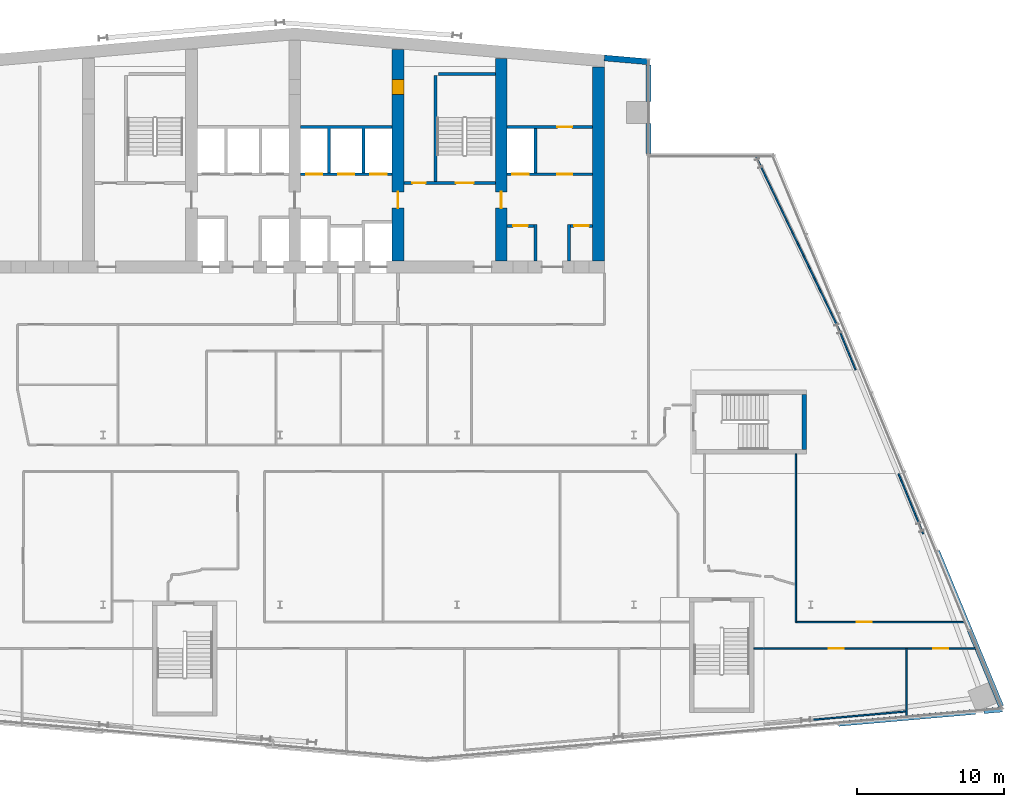
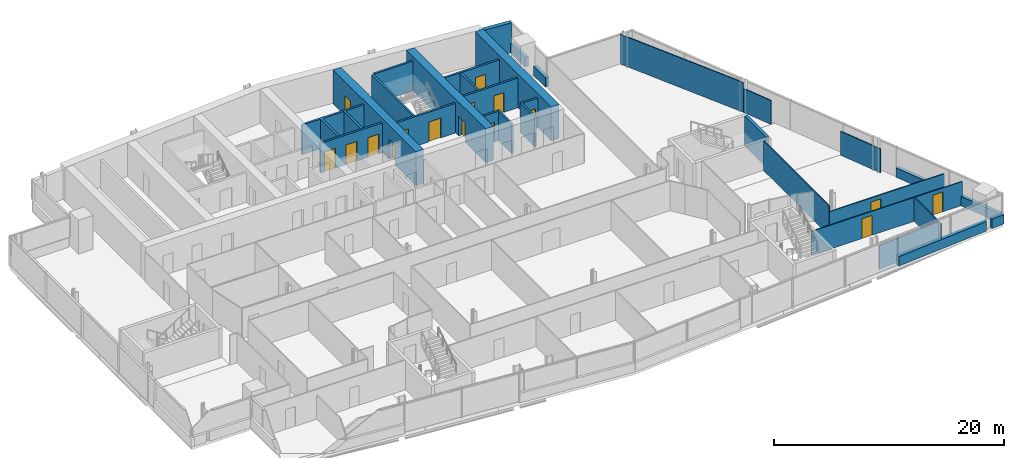
# One storey, part 20 of 24: 30 walls, 16 doors, 16 openings.
"""IFC4 building model written with IfcOpenShell, lengths in metres."""

from ifc_helpers import new_model, si_unit, direction, frame, frame_2d, origin, place, context, subcontext, project, spatial, polyline, rectangle, outline, extrude, material, layer, layer_set, type_object, element, fill, save


model = new_model("IFC4")

# Units and contexts
model_context = context("Model", 3, precision=1e-05, world=origin(), true_north=direction((0.0, 1.0)))
body_context = subcontext(model_context, "Body", "Model", "MODEL_VIEW")
ifc_project = project(units=[si_unit("LENGTHUNIT", "METRE"), si_unit("AREAUNIT", "SQUARE_METRE"), si_unit("VOLUMEUNIT", "CUBIC_METRE"), si_unit("PLANEANGLEUNIT", "RADIAN"), si_unit("MASSUNIT", "GRAM", prefix="KILO")], contexts=[model_context])

# Site, building, storey
site_placement = place(None, origin())
site = spatial("IfcSite", under=ifc_project, at=site_placement, CompositionType="ELEMENT")
building_placement = place(site_placement, origin())
building = spatial("IfcBuilding", under=site, at=building_placement, Name="Wharfspan Tower", CompositionType="ELEMENT")
storey_placement = place(building_placement, frame((0.0, 0.0, 198.699951)))
storey = spatial("IfcBuildingStorey", under=building, at=storey_placement, Name="L49", CompositionType="ELEMENT", Elevation=198.699951)

# Wall, openings, doors
ifc_material_1 = material(Name="Gypsum board on steel studs", Category="steel")
ifc_layer_1 = layer(ifc_material_1, 0.100098)
ifc_layer_set_1 = layer_set([ifc_layer_1], Name="Gypsum board on steel studs")
wall_type_1 = type_object("IfcWallType", Name="Compartment wall 100 EI 60", PredefinedType="PARTITIONING", material=ifc_layer_set_1)
wall_1_placement = place(storey_placement, frame((68.136475, 8.52002, 0.0), z_axis=(0.0, 0.0, 1.0), x_axis=(1.0, 0.0, 0.0)))
wall_1 = element("IfcWall", 1, at=wall_1_placement, inside=storey, type_object=wall_type_1, Name="Partition L49.w066", PredefinedType="PARTITIONING", context=body_context, shape_type="SweptSolid", body=[
    extrude(rectangle(XDim=15.140869, YDim=0.100098, at=frame_2d((7.570312, 0.0))), origin(), (0.0, 0.0, 1.0), 2.530029),
])
opening_1_placement = place(wall_1_placement, frame((5.093506, 0.0, 0.0)))
opening_1 = element("IfcOpeningElement", 2, at=opening_1_placement, cuts=wall_1, Name="Opening C6-07", PredefinedType="OPENING", context=body_context, shape_type="SweptSolid", body=[
    extrude(rectangle(XDim=1.0, YDim=2.100098, at=frame_2d((0.5, 1.050049))), frame((0.0, 0.060059, 0.0), z_axis=(0.0, -1.0, 0.0), x_axis=(1.0, 0.0, 0.0)), (0.0, 0.0, 1.0), 0.120117),
])
opening_2_placement = place(wall_1_placement, frame((12.183594, 0.0, 0.0)))
opening_2 = element("IfcOpeningElement", 3, at=opening_2_placement, cuts=wall_1, Name="Opening C6-08", PredefinedType="OPENING", context=body_context, shape_type="SweptSolid", body=[
    extrude(rectangle(XDim=1.0, YDim=2.100098, at=frame_2d((0.5, 1.050049))), frame((0.0, 0.060059, 0.0), z_axis=(0.0, -1.0, 0.0), x_axis=(1.0, 0.0, 0.0)), (0.0, 0.0, 1.0), 0.120117),
])
ifc_material_2 = material(Name="Fire-rated timber door leaf in steel frame", Category="steel")
door_type_1 = type_object("IfcDoorType", Name="Door 1000 FD30S Left", OperationType="SINGLE_SWING_LEFT", PredefinedType="DOOR", material=ifc_material_2)
door_1_placement = place(opening_1_placement, origin())
door_1 = element("IfcDoor", 4, at=door_1_placement, inside=storey, type_object=door_type_1, Name="Door C6-07", OperationType="SINGLE_SWING_LEFT", OverallHeight=2.100098, OverallWidth=1.0, PredefinedType="DOOR", context=body_context, shape_type="SweptSolid", body=[
    extrude(rectangle(XDim=1.0, YDim=2.100098, at=frame_2d((0.5, 1.050049))), frame((0.0, 0.024902, 0.0), z_axis=(0.0, -1.0, 0.0), x_axis=(1.0, 0.0, 0.0)), (0.0, 0.0, 1.0), 0.050049),
])
fill(opening_1, door_1)
door_type_2 = type_object("IfcDoorType", Name="Door 1000 FD30S Right", OperationType="SINGLE_SWING_RIGHT", PredefinedType="DOOR", material=ifc_material_2)
door_2_placement = place(opening_2_placement, origin())
door_2 = element("IfcDoor", 5, at=door_2_placement, inside=storey, type_object=door_type_2, Name="Door C6-08", OperationType="SINGLE_SWING_RIGHT", OverallHeight=2.100098, OverallWidth=1.0, PredefinedType="DOOR", context=body_context, shape_type="SweptSolid", body=[
    extrude(rectangle(XDim=1.0, YDim=2.100098, at=frame_2d((0.5, 1.050049))), frame((0.0, 0.024902, 0.0), z_axis=(0.0, -1.0, 0.0), x_axis=(1.0, 0.0, 0.0)), (0.0, 0.0, 1.0), 0.050049),
])
fill(opening_2, door_2)

# Wall
wall_2_placement = place(storey_placement, frame((71.0, 10.324951, 0.0), z_axis=(0.0, 0.0, 1.0), x_axis=(0.0, 1.0, 0.0)))
element("IfcWall", 6, at=wall_2_placement, inside=storey, type_object=wall_type_1, Name="Partition L49.w072", PredefinedType="PARTITIONING", context=body_context, shape_type="SweptSolid", body=[
    extrude(rectangle(XDim=11.400146, YDim=0.100098, at=frame_2d((5.700195, 0.0))), origin(), (0.0, 0.0, 1.0), 3.150146),
])

# Wall, opening, door
wall_3_placement = place(storey_placement, frame((71.0, 10.324951, 0.0), z_axis=(0.0, 0.0, 1.0), x_axis=(1.0, 0.0, 0.0)))
wall_3 = element("IfcWall", 7, at=wall_3_placement, inside=storey, type_object=wall_type_1, Name="Partition L49.w073", PredefinedType="PARTITIONING", context=body_context, shape_type="SweptSolid", body=[
    extrude(rectangle(XDim=11.532227, YDim=0.100098, at=frame_2d((5.766113, 0.0))), origin(), (0.0, 0.0, 1.0), 2.530029),
])
opening_3_placement = place(wall_3_placement, frame((4.135986, 0.0, 0.0)))
opening_3 = element("IfcOpeningElement", 8, at=opening_3_placement, cuts=wall_3, Name="Opening C6-10", PredefinedType="OPENING", context=body_context, shape_type="SweptSolid", body=[
    extrude(rectangle(XDim=1.0, YDim=2.100098, at=frame_2d((0.5, 1.050049))), frame((0.0, 0.060059, 0.0), z_axis=(0.0, -1.0, 0.0), x_axis=(1.0, 0.0, 0.0)), (0.0, 0.0, 1.0), 0.120117),
])
door_3_placement = place(opening_3_placement, origin())
door_3 = element("IfcDoor", 9, at=door_3_placement, inside=storey, type_object=door_type_1, Name="Door C6-10", OperationType="SINGLE_SWING_LEFT", OverallHeight=2.100098, OverallWidth=1.0, PredefinedType="DOOR", context=body_context, shape_type="SweptSolid", body=[
    extrude(rectangle(XDim=1.0, YDim=2.100098, at=frame_2d((0.5, 1.050049))), frame((0.0, 0.024902, 0.0), z_axis=(0.0, -1.0, 0.0), x_axis=(1.0, 0.0, 0.0)), (0.0, 0.0, 1.0), 0.050049),
])
fill(opening_3, door_3)

# Wall
wall_4_placement = place(storey_placement, frame((78.5, 3.870117, 0.0), z_axis=(0.0, 0.0, 1.0), x_axis=(0.0, 1.0, 0.0)))
element("IfcWall", 10, at=wall_4_placement, inside=storey, type_object=wall_type_1, Name="Partition L49.w078", PredefinedType="PARTITIONING", context=body_context, shape_type="SweptSolid", body=[
    extrude(rectangle(XDim=4.649902, YDim=0.100098, at=frame_2d((2.324951, 0.0))), origin(), (0.0, 0.0, 1.0), 2.530029),
])

# Wall, opening, door
ifc_material_3 = material(Name="Calcium silicate masonry", Category="masonry")
ifc_layer_2 = layer(ifc_material_3, 0.199951)
ifc_layer_set_2 = layer_set([ifc_layer_2], Name="Calcium silicate masonry")
wall_type_2 = type_object("IfcWallType", Name="Core room wall 200", PredefinedType="PARTITIONING", material=ifc_layer_set_2)
wall_5_placement = place(storey_placement, frame((51.399902, 37.199951, 0.0), z_axis=(0.0, 0.0, 1.0), x_axis=(1.0, 0.0, 0.0)))
wall_5 = element("IfcWall", 11, at=wall_5_placement, inside=storey, type_object=wall_type_2, Name="sw:L49:FR6.1", PredefinedType="PARTITIONING", context=body_context, shape_type="SweptSolid", body=[
    extrude(rectangle(XDim=1.833496, YDim=0.199951, at=frame_2d((0.916748, 0.0))), origin(), (0.0, 0.0, 1.0), 3.150146),
])
opening_4_placement = place(wall_5_placement, frame((0.416748, 0.0, 0.0)))
opening_4 = element("IfcOpeningElement", 12, at=opening_4_placement, cuts=wall_5, Name="Opening CD49.6H1", PredefinedType="OPENING", context=body_context, shape_type="SweptSolid", body=[
    extrude(rectangle(XDim=1.0, YDim=2.100098, at=frame_2d((0.5, 1.050049))), frame((0.0, 0.109863, 0.0), z_axis=(0.0, -1.0, 0.0), x_axis=(1.0, 0.0, 0.0)), (0.0, 0.0, 1.0), 0.219971),
])
ifc_material_4 = material(Name="Steel door leaf", Category="steel")
door_type_3 = type_object("IfcDoorType", Name="Core room door 1000x2100", OperationType="SINGLE_SWING_LEFT", PredefinedType="DOOR", material=ifc_material_4)
door_4_placement = place(opening_4_placement, origin())
door_4 = element("IfcDoor", 13, at=door_4_placement, inside=storey, type_object=door_type_3, Name="d:L49:6:fh6.1", OperationType="SINGLE_SWING_RIGHT", OverallHeight=2.100098, OverallWidth=1.0, PredefinedType="DOOR", context=body_context, shape_type="SweptSolid", body=[
    extrude(rectangle(XDim=1.0, YDim=2.100098, at=frame_2d((0.5, 1.050049))), frame((0.0, 0.024902, 0.0), z_axis=(0.0, -1.0, 0.0), x_axis=(1.0, 0.0, 0.0)), (0.0, 0.0, 1.0), 0.050049),
])
fill(opening_4, door_4)

wall_6_placement = place(storey_placement, frame((55.699951, 37.199951, 0.0), z_axis=(0.0, 0.0, 1.0), x_axis=(1.0, 0.0, 0.0)))
wall_6 = element("IfcWall", 14, at=wall_6_placement, inside=storey, type_object=wall_type_2, Name="sw:L49:FR6.3", PredefinedType="PARTITIONING", context=body_context, shape_type="SweptSolid", body=[
    extrude(rectangle(XDim=1.5, YDim=0.199951, at=frame_2d((0.75, 0.0))), origin(), (0.0, 0.0, 1.0), 3.150146),
])
opening_5_placement = place(wall_6_placement, frame((0.25, 0.0, 0.0)))
opening_5 = element("IfcOpeningElement", 15, at=opening_5_placement, cuts=wall_6, Name="Opening CD49.6H3", PredefinedType="OPENING", context=body_context, shape_type="SweptSolid", body=[
    extrude(rectangle(XDim=1.0, YDim=2.100098, at=frame_2d((0.5, 1.050049))), frame((0.0, 0.109863, 0.0), z_axis=(0.0, -1.0, 0.0), x_axis=(1.0, 0.0, 0.0)), (0.0, 0.0, 1.0), 0.219971),
])
door_5_placement = place(opening_5_placement, origin())
door_5 = element("IfcDoor", 16, at=door_5_placement, inside=storey, type_object=door_type_3, Name="d:L49:6:fh6.3", OperationType="SINGLE_SWING_RIGHT", OverallHeight=2.100098, OverallWidth=1.0, PredefinedType="DOOR", context=body_context, shape_type="SweptSolid", body=[
    extrude(rectangle(XDim=1.0, YDim=2.100098, at=frame_2d((0.5, 1.050049))), frame((0.0, 0.024902, 0.0), z_axis=(0.0, -1.0, 0.0), x_axis=(1.0, 0.0, 0.0)), (0.0, 0.0, 1.0), 0.050049),
])
fill(opening_5, door_5)

# Wall, openings, doors
ifc_material_5 = material(Name="Concrete C60/75", Category="concrete")
ifc_layer_3 = layer(ifc_material_5, 0.800049)
ifc_layer_set_3 = layer_set([ifc_layer_3], Name="Concrete C60/75")
wall_type_3 = type_object("IfcWallType", Name="Core wall 800 C60/75", PredefinedType="SHEAR", material=ifc_layer_set_3)
wall_7_placement = place(storey_placement, frame((44.0, 34.800049, 0.0), z_axis=(0.0, 0.0, 1.0), x_axis=(0.0, 1.0, 0.0)))
wall_7 = element("IfcWall", 17, at=wall_7_placement, inside=storey, type_object=wall_type_3, Name="Core cross wall X5 L49", PredefinedType="SHEAR", context=body_context, shape_type="SweptSolid", body=[
    extrude(rectangle(XDim=14.374023, YDim=0.800049, at=frame_2d((7.187012, 0.0))), origin(), (0.0, 0.0, 1.0), 3.600098),
])
opening_6_placement = place(wall_7_placement, frame((11.312012, 0.0, 0.0)))
opening_6 = element("IfcOpeningElement", 18, at=opening_6_placement, cuts=wall_7, Name="Opening CD49.4X", PredefinedType="OPENING", context=body_context, shape_type="SweptSolid", body=[
    extrude(rectangle(XDim=1.0, YDim=2.100098, at=frame_2d((0.5, 1.050049))), frame((0.0, 0.409912, 0.0), z_axis=(0.0, -1.0, 0.0), x_axis=(1.0, 0.0, 0.0)), (0.0, 0.0, 1.0), 0.820068),
])
opening_7_placement = place(wall_7_placement, frame((3.600098, 0.0, 0.0)))
opening_7 = element("IfcOpeningElement", 19, at=opening_7_placement, cuts=wall_7, Name="Opening CC49.5", PredefinedType="OPENING", context=body_context, shape_type="SweptSolid", body=[
    extrude(rectangle(XDim=1.100098, YDim=2.100098, at=frame_2d((0.550049, 1.050049))), frame((0.0, 0.409912, 0.0), z_axis=(0.0, -1.0, 0.0), x_axis=(1.0, 0.0, 0.0)), (0.0, 0.0, 1.0), 0.820068),
])
door_type_4 = type_object("IfcDoorType", Name="Core corridor door 1100x2100", OperationType="SINGLE_SWING_LEFT", PredefinedType="DOOR", material=ifc_material_4)
door_6_placement = place(opening_7_placement, origin())
door_6 = element("IfcDoor", 20, at=door_6_placement, inside=storey, type_object=door_type_4, Name="xd:L49:5", OperationType="SINGLE_SWING_LEFT", OverallHeight=2.100098, OverallWidth=1.100098, PredefinedType="DOOR", context=body_context, shape_type="SweptSolid", body=[
    extrude(rectangle(XDim=1.100098, YDim=2.100098, at=frame_2d((0.550049, 1.050049))), frame((0.0, 0.024902, 0.0), z_axis=(0.0, -1.0, 0.0), x_axis=(1.0, 0.0, 0.0)), (0.0, 0.0, 1.0), 0.050049),
])
fill(opening_7, door_6)
door_7_placement = place(opening_6_placement, origin())
door_7 = element("IfcDoor", 21, at=door_7_placement, inside=storey, type_object=door_type_3, Name="d:L49:4:sx", OperationType="SINGLE_SWING_LEFT", OverallHeight=2.100098, OverallWidth=1.0, PredefinedType="DOOR", context=body_context, shape_type="SweptSolid", body=[
    extrude(rectangle(XDim=1.0, YDim=2.100098, at=frame_2d((0.5, 1.050049))), frame((0.0, 0.399902, 0.0), z_axis=(0.0, -1.0, 0.0), x_axis=(1.0, 0.0, 0.0)), (0.0, 0.0, 1.0), 0.799561),
])
fill(opening_6, door_7)

# Wall, opening, door
wall_8_placement = place(storey_placement, frame((51.0, 34.800049, 0.0), z_axis=(0.0, 0.0, 1.0), x_axis=(0.0, 1.0, 0.0)))
wall_8 = element("IfcWall", 22, at=wall_8_placement, inside=storey, type_object=wall_type_3, Name="Core cross wall X6 L49", PredefinedType="SHEAR", context=body_context, shape_type="SweptSolid", body=[
    extrude(rectangle(XDim=13.761719, YDim=0.800049, at=frame_2d((6.880859, 0.0))), origin(), (0.0, 0.0, 1.0), 3.600098),
])
opening_8_placement = place(wall_8_placement, frame((3.600098, 0.0, 0.0)))
opening_8 = element("IfcOpeningElement", 23, at=opening_8_placement, cuts=wall_8, Name="Opening CC49.6", PredefinedType="OPENING", context=body_context, shape_type="SweptSolid", body=[
    extrude(rectangle(XDim=1.100098, YDim=2.100098, at=frame_2d((0.550049, 1.050049))), frame((0.0, 0.409912, 0.0), z_axis=(0.0, -1.0, 0.0), x_axis=(1.0, 0.0, 0.0)), (0.0, 0.0, 1.0), 0.820068),
])
door_8_placement = place(opening_8_placement, origin())
door_8 = element("IfcDoor", 24, at=door_8_placement, inside=storey, type_object=door_type_4, Name="xd:L49:6", OperationType="SINGLE_SWING_RIGHT", OverallHeight=2.100098, OverallWidth=1.100098, PredefinedType="DOOR", context=body_context, shape_type="SweptSolid", body=[
    extrude(rectangle(XDim=1.100098, YDim=2.100098, at=frame_2d((0.550049, 1.050049))), frame((0.0, 0.024902, 0.0), z_axis=(0.0, -1.0, 0.0), x_axis=(1.0, 0.0, 0.0)), (0.0, 0.0, 1.0), 0.050049),
])
fill(opening_8, door_8)

# Wall
wall_9_placement = place(storey_placement, frame((57.600098, 34.800049, 0.0), z_axis=(0.0, 0.0, 1.0), x_axis=(0.0, 1.0, 0.0)))
element("IfcWall", 25, at=wall_9_placement, inside=storey, type_object=wall_type_3, Name="Core cross wall EW1 L49", PredefinedType="SHEAR", context=body_context, shape_type="SweptSolid", body=[
    extrude(rectangle(XDim=13.184326, YDim=0.800049, at=frame_2d((6.592285, 0.0))), origin(), (0.0, 0.0, 1.0), 3.600098),
])

# Wall, openings, doors
ifc_material_6 = material(Name="Concrete C30/37", Category="concrete")
ifc_layer_4 = layer(ifc_material_6, 0.199951)
ifc_layer_set_4 = layer_set([ifc_layer_4], Name="Concrete C30/37")
wall_type_4 = type_object("IfcWallType", Name="Lift shaft wall 200", PredefinedType="PARTITIONING", material=ifc_layer_set_4)
wall_10_placement = place(storey_placement, frame((37.399902, 40.699951, 0.0), z_axis=(0.0, 0.0, 1.0), x_axis=(1.0, 0.0, 0.0)))
wall_10 = element("IfcWall", 26, at=wall_10_placement, inside=storey, type_object=wall_type_4, Name="sw:L49:RF4", PredefinedType="PARTITIONING", context=body_context, shape_type="SweptSolid", body=[
    extrude(rectangle(XDim=6.200195, YDim=0.199951, at=frame_2d((3.100098, 0.0))), origin(), (0.0, 0.0, 1.0), 3.150146),
])
opening_9_placement = place(wall_10_placement, frame((0.366699, 0.0, 0.0)))
opening_9 = element("IfcOpeningElement", 27, at=opening_9_placement, cuts=wall_10, Name="Opening LD.LB4.L49", PredefinedType="OPENING", context=body_context, shape_type="SweptSolid", body=[
    extrude(rectangle(XDim=1.100098, YDim=2.100098, at=frame_2d((0.550049, 1.050049))), frame((0.0, 0.109863, 0.0), z_axis=(0.0, -1.0, 0.0), x_axis=(1.0, 0.0, 0.0)), (0.0, 0.0, 1.0), 0.219971),
])
opening_10_placement = place(wall_10_placement, frame((2.550049, 0.0, 0.0)))
opening_10 = element("IfcOpeningElement", 28, at=opening_10_placement, cuts=wall_10, Name="Opening LD.LB5.L49", PredefinedType="OPENING", context=body_context, shape_type="SweptSolid", body=[
    extrude(rectangle(XDim=1.100098, YDim=2.100098, at=frame_2d((0.550049, 1.050049))), frame((0.0, 0.109863, 0.0), z_axis=(0.0, -1.0, 0.0), x_axis=(1.0, 0.0, 0.0)), (0.0, 0.0, 1.0), 0.219971),
])
opening_11_placement = place(wall_10_placement, frame((4.733398, 0.0, 0.0)))
opening_11 = element("IfcOpeningElement", 29, at=opening_11_placement, cuts=wall_10, Name="Opening LD.LB6.L49", PredefinedType="OPENING", context=body_context, shape_type="SweptSolid", body=[
    extrude(rectangle(XDim=1.100098, YDim=2.100098, at=frame_2d((0.550049, 1.050049))), frame((0.0, 0.109863, 0.0), z_axis=(0.0, -1.0, 0.0), x_axis=(1.0, 0.0, 0.0)), (0.0, 0.0, 1.0), 0.219971),
])
ifc_material_7 = material(Name="Stainless steel", Category="steel")
door_type_5 = type_object("IfcDoorType", Name="Lift landing door 1100x2100", OperationType="DOUBLE_DOOR_SLIDING", PredefinedType="DOOR", material=ifc_material_7)
door_9_placement = place(opening_9_placement, origin())
door_9 = element("IfcDoor", 30, at=door_9_placement, inside=storey, type_object=door_type_5, Name="Landing door LB4 L49", OperationType="DOUBLE_DOOR_SLIDING", OverallHeight=2.100098, OverallWidth=1.100098, PredefinedType="DOOR", context=body_context, shape_type="SweptSolid", body=[
    extrude(rectangle(XDim=1.100098, YDim=2.100098, at=frame_2d((0.550049, 1.050049))), frame((0.0, 0.024902, 0.0), z_axis=(0.0, -1.0, 0.0), x_axis=(1.0, 0.0, 0.0)), (0.0, 0.0, 1.0), 0.050049),
])
fill(opening_9, door_9)
door_10_placement = place(opening_10_placement, origin())
door_10 = element("IfcDoor", 31, at=door_10_placement, inside=storey, type_object=door_type_5, Name="Landing door LB5 L49", OperationType="DOUBLE_DOOR_SLIDING", OverallHeight=2.100098, OverallWidth=1.100098, PredefinedType="DOOR", context=body_context, shape_type="SweptSolid", body=[
    extrude(rectangle(XDim=1.100098, YDim=2.100098, at=frame_2d((0.550049, 1.050049))), frame((0.0, 0.024902, 0.0), z_axis=(0.0, -1.0, 0.0), x_axis=(1.0, 0.0, 0.0)), (0.0, 0.0, 1.0), 0.050049),
])
fill(opening_10, door_10)
door_11_placement = place(opening_11_placement, origin())
door_11 = element("IfcDoor", 32, at=door_11_placement, inside=storey, type_object=door_type_5, Name="Landing door LB6 L49", OperationType="DOUBLE_DOOR_SLIDING", OverallHeight=2.100098, OverallWidth=1.100098, PredefinedType="DOOR", context=body_context, shape_type="SweptSolid", body=[
    extrude(rectangle(XDim=1.100098, YDim=2.100098, at=frame_2d((0.550049, 1.050049))), frame((0.0, 0.024902, 0.0), z_axis=(0.0, -1.0, 0.0), x_axis=(1.0, 0.0, 0.0)), (0.0, 0.0, 1.0), 0.050049),
])
fill(opening_11, door_11)

# Wall
wall_11_placement = place(storey_placement, origin())
element("IfcWall", 33, at=wall_11_placement, inside=storey, type_object=wall_type_4, Name="sw:L49:RM4.0", PredefinedType="PARTITIONING", context=body_context, shape_type="SweptSolid", body=[
    extrude(outline(polyline([(39.43335, 40.800049), (39.233398, 40.800049), (39.233398, 43.800049), (37.399902, 43.800049), (37.399902, 44.0), (43.600098, 44.0), (43.600098, 43.800049), (41.766602, 43.800049), (41.766602, 40.800049), (41.56665, 40.800049), (41.56665, 43.800049), (39.43335, 43.800049), (39.43335, 40.800049)])), origin(), (0.0, 0.0, 1.0), 3.150146),
])

# Wall, openings, doors
wall_12_placement = place(storey_placement, frame((51.399902, 40.699951, 0.0), z_axis=(0.0, 0.0, 1.0), x_axis=(1.0, 0.0, 0.0)))
wall_12 = element("IfcWall", 34, at=wall_12_placement, inside=storey, type_object=wall_type_4, Name="sw:L49:RF6", PredefinedType="PARTITIONING", context=body_context, shape_type="SweptSolid", body=[
    extrude(rectangle(XDim=5.800049, YDim=0.199951, at=frame_2d((2.899902, 0.0))), origin(), (0.0, 0.0, 1.0), 3.150146),
])
opening_12_placement = place(wall_12_placement, frame((0.366699, 0.0, 0.0)))
opening_12 = element("IfcOpeningElement", 35, at=opening_12_placement, cuts=wall_12, Name="Opening LD.LB8.L49", PredefinedType="OPENING", context=body_context, shape_type="SweptSolid", body=[
    extrude(rectangle(XDim=1.100098, YDim=2.100098, at=frame_2d((0.550049, 1.050049))), frame((0.0, 0.109863, 0.0), z_axis=(0.0, -1.0, 0.0), x_axis=(1.0, 0.0, 0.0)), (0.0, 0.0, 1.0), 0.219971),
])
opening_13_placement = place(wall_12_placement, frame((3.416748, 0.0, 0.0)))
opening_13 = element("IfcOpeningElement", 36, at=opening_13_placement, cuts=wall_12, Name="Opening CD49.6R2", PredefinedType="OPENING", context=body_context, shape_type="SweptSolid", body=[
    extrude(rectangle(XDim=1.0, YDim=2.100098, at=frame_2d((0.5, 1.050049))), frame((0.0, 0.109863, 0.0), z_axis=(0.0, -1.0, 0.0), x_axis=(1.0, 0.0, 0.0)), (0.0, 0.0, 1.0), 0.219971),
])
door_12_placement = place(opening_13_placement, origin())
door_12 = element("IfcDoor", 37, at=door_12_placement, inside=storey, type_object=door_type_3, Name="d:L49:6:rd6.2", OperationType="SINGLE_SWING_RIGHT", OverallHeight=2.100098, OverallWidth=1.0, PredefinedType="DOOR", context=body_context, shape_type="SweptSolid", body=[
    extrude(rectangle(XDim=1.0, YDim=2.100098, at=frame_2d((0.5, 1.050049))), frame((0.0, 0.024902, 0.0), z_axis=(0.0, -1.0, 0.0), x_axis=(1.0, 0.0, 0.0)), (0.0, 0.0, 1.0), 0.050049),
])
fill(opening_13, door_12)
door_13_placement = place(opening_12_placement, origin())
door_13 = element("IfcDoor", 38, at=door_13_placement, inside=storey, type_object=door_type_5, Name="Landing door LB8 L49", OperationType="DOUBLE_DOOR_SLIDING", OverallHeight=2.100098, OverallWidth=1.100098, PredefinedType="DOOR", context=body_context, shape_type="SweptSolid", body=[
    extrude(rectangle(XDim=1.100098, YDim=2.100098, at=frame_2d((0.550049, 1.050049))), frame((0.0, 0.024902, 0.0), z_axis=(0.0, -1.0, 0.0), x_axis=(1.0, 0.0, 0.0)), (0.0, 0.0, 1.0), 0.050049),
])
fill(opening_12, door_13)

# Wall, opening, door
wall_13_placement = place(storey_placement, frame((51.399902, 43.899902, 0.0), z_axis=(0.0, 0.0, 1.0), x_axis=(1.0, 0.0, 0.0)))
wall_13 = element("IfcWall", 39, at=wall_13_placement, inside=storey, type_object=wall_type_4, Name="sw:L49:RR6", PredefinedType="PARTITIONING", context=body_context, shape_type="SweptSolid", body=[
    extrude(rectangle(XDim=5.800049, YDim=0.199951, at=frame_2d((2.899902, 0.0))), origin(), (0.0, 0.0, 1.0), 3.150146),
])
opening_14_placement = place(wall_13_placement, frame((3.416748, 0.0, 0.0)))
opening_14 = element("IfcOpeningElement", 40, at=opening_14_placement, cuts=wall_13, Name="Opening CD49.6S2", PredefinedType="OPENING", context=body_context, shape_type="SweptSolid", body=[
    extrude(rectangle(XDim=1.0, YDim=2.100098, at=frame_2d((0.5, 1.050049))), frame((0.0, 0.109863, 0.0), z_axis=(0.0, -1.0, 0.0), x_axis=(1.0, 0.0, 0.0)), (0.0, 0.0, 1.0), 0.219971),
])
door_14_placement = place(opening_14_placement, origin())
door_14 = element("IfcDoor", 41, at=door_14_placement, inside=storey, type_object=door_type_3, Name="d:L49:6:rs6.2", OperationType="SINGLE_SWING_LEFT", OverallHeight=2.100098, OverallWidth=1.0, PredefinedType="DOOR", context=body_context, shape_type="SweptSolid", body=[
    extrude(rectangle(XDim=1.0, YDim=2.100098, at=frame_2d((0.5, 1.050049))), frame((0.0, 0.024902, 0.0), z_axis=(0.0, -1.0, 0.0), x_axis=(1.0, 0.0, 0.0)), (0.0, 0.0, 1.0), 0.050049),
])
fill(opening_14, door_14)

# Walls
wall_14_placement = place(storey_placement, origin())
element("IfcWall", 42, at=wall_14_placement, inside=storey, type_object=wall_type_4, Name="sw:L49:FM6.0", PredefinedType="PARTITIONING", context=body_context, shape_type="SweptSolid", body=[
    extrude(outline(polyline([(53.233398, 34.800049), (53.233398, 37.300049), (53.43335, 37.300049), (53.43335, 34.800049), (53.233398, 34.800049)])), origin(), (0.0, 0.0, 1.0), 3.150146),
])
wall_15_placement = place(storey_placement, origin())
element("IfcWall", 43, at=wall_15_placement, inside=storey, type_object=wall_type_4, Name="sw:L49:FM6.1", PredefinedType="PARTITIONING", context=body_context, shape_type="SweptSolid", body=[
    extrude(outline(polyline([(55.5, 34.800049), (55.5, 37.300049), (55.699951, 37.300049), (55.699951, 34.800049), (55.5, 34.800049)])), origin(), (0.0, 0.0, 1.0), 3.150146),
])
wall_16_placement = place(storey_placement, origin())
element("IfcWall", 44, at=wall_16_placement, inside=storey, type_object=wall_type_4, Name="sw:L49:RM6.0", PredefinedType="PARTITIONING", context=body_context, shape_type="SweptSolid", body=[
    extrude(outline(polyline([(53.43335, 40.800049), (53.43335, 43.800049), (53.233398, 43.800049), (53.233398, 40.800049), (53.43335, 40.800049)])), origin(), (0.0, 0.0, 1.0), 3.150146),
])
ifc_layer_5 = layer(ifc_material_1, 0.100098)
ifc_layer_set_5 = layer_set([ifc_layer_5], Name="Gypsum board on steel studs")
wall_type_5 = type_object("IfcWallType", Name="Partition 100", PredefinedType="PARTITIONING", material=ifc_layer_set_5)
wall_17_placement = place(storey_placement, frame((72.165039, 3.695068, 0.0), z_axis=(0.0, 0.0, 1.0), x_axis=(0.996066, 0.08865, 0.0)))
element("IfcWall", 45, at=wall_17_placement, inside=storey, type_object=wall_type_5, Name="Partition L49.w074", PredefinedType="PARTITIONING", context=body_context, shape_type="SweptSolid", body=[
    extrude(rectangle(XDim=6.314941, YDim=0.100098, at=frame_2d((3.157471, 0.0))), origin(), (0.0, 0.0, 1.0), 2.530029),
])
wall_18_placement = place(storey_placement, frame((73.88501, 30.22998, 0.0), z_axis=(0.0, 0.0, 1.0), x_axis=(-0.432107, 0.901822, 0.0)))
element("IfcWall", 46, at=wall_18_placement, inside=storey, type_object=wall_type_5, Name="Partition L49.w075", PredefinedType="PARTITIONING", context=body_context, shape_type="SweptSolid", body=[
    extrude(rectangle(XDim=13.015869, YDim=0.100098, at=frame_2d((6.507812, 0.0))), origin(), (0.0, 0.0, 1.0), 3.150146),
])
wall_19_placement = place(storey_placement, frame((75.046631, 27.419922, 0.0), z_axis=(0.0, 0.0, 1.0), x_axis=(-0.382024, 0.924148, 0.0)))
element("IfcWall", 47, at=wall_19_placement, inside=storey, type_object=wall_type_5, Name="Partition L49.w076", PredefinedType="PARTITIONING", context=body_context, shape_type="SweptSolid", body=[
    extrude(rectangle(XDim=3.040771, YDim=0.100098, at=frame_2d((1.520508, 0.0))), origin(), (0.0, 0.0, 1.0), 2.530029),
])
wall_20_placement = place(storey_placement, frame((79.629883, 16.310059, 0.0), z_axis=(0.0, 0.0, 1.0), x_axis=(-0.380933, 0.9246, 0.0)))
element("IfcWall", 48, at=wall_20_placement, inside=storey, type_object=wall_type_5, Name="Partition L49.w079", PredefinedType="PARTITIONING", context=body_context, shape_type="SweptSolid", body=[
    extrude(rectangle(XDim=4.401611, YDim=0.100098, at=frame_2d((2.200684, 0.0))), origin(), (0.0, 0.0, 1.0), 2.530029),
])
ifc_material_8 = material(Name="Concrete C40/50", Category="concrete")
ifc_layer_6 = layer(ifc_material_8, 0.350098)
ifc_layer_set_6 = layer_set([ifc_layer_6], Name="Concrete C40/50")
wall_type_6 = type_object("IfcWallType", Name="SPANDREL EXPOSED CONCRETE 350", PredefinedType="SOLIDWALL", material=ifc_layer_set_6)
wall_21_placement = place(storey_placement, frame((73.887451, 3.422852, 0.0), z_axis=(0.0, 0.0, 1.0), x_axis=(0.996197, 0.087145, 0.0)))
element("IfcWall", 49, at=wall_21_placement, inside=storey, type_object=wall_type_6, Name="Spandrel upstand L49 S2 2", PredefinedType="SOLIDWALL", context=body_context, shape_type="SweptSolid", body=[
    extrude(rectangle(XDim=9.323486, YDim=0.350098, at=frame_2d((4.661621, 0.0))), origin(), (0.0, 0.0, 1.0), 1.0),
])
wall_22_placement = place(storey_placement, frame((83.744629, 4.285156, 0.0), z_axis=(0.0, 0.0, 1.0), x_axis=(0.996198, 0.087148, 0.0)))
element("IfcWall", 50, at=wall_22_placement, inside=storey, type_object=wall_type_6, Name="Spandrel upstand L49 S2 3", PredefinedType="SOLIDWALL", context=body_context, shape_type="SweptSolid", body=[
    extrude(rectangle(XDim=1.260742, YDim=0.350098, at=frame_2d((0.630371, 0.0))), origin(), (0.0, 0.0, 1.0), 1.0),
])
wall_23_placement = place(storey_placement, frame((84.91626, 4.615967, 0.0), z_axis=(0.0, 0.0, 1.0), x_axis=(-0.381598, 0.924328, 0.0)))
element("IfcWall", 51, at=wall_23_placement, inside=storey, type_object=wall_type_6, Name="Spandrel upstand L49 E", PredefinedType="SOLIDWALL", context=body_context, shape_type="SweptSolid", body=[
    extrude(rectangle(XDim=11.360596, YDim=0.350098, at=frame_2d((5.680176, 0.0))), origin(), (0.0, 0.0, 1.0), 1.0),
])
wall_24_placement = place(storey_placement, frame((61.004883, 42.120117, 0.0), z_axis=(0.0, 0.0, 1.0), x_axis=(0.0, 1.0, 0.0)))
element("IfcWall", 52, at=wall_24_placement, inside=storey, type_object=wall_type_6, Name="Spandrel upstand L49 NRE-V", PredefinedType="SOLIDWALL", context=body_context, shape_type="SweptSolid", body=[
    extrude(rectangle(XDim=2.029785, YDim=0.350098, at=frame_2d((1.014893, 0.0))), origin(), (0.0, 0.0, 1.0), 1.0),
])
wall_25_placement = place(storey_placement, frame((61.004883, 45.649902, 0.0), z_axis=(0.0, 0.0, 1.0), x_axis=(0.0, 1.0, 0.0)))
element("IfcWall", 53, at=wall_25_placement, inside=storey, type_object=wall_type_6, Name="Spandrel upstand L49 NRE-V 2", PredefinedType="SOLIDWALL", context=body_context, shape_type="SweptSolid", body=[
    extrude(rectangle(XDim=2.476562, YDim=0.350098, at=frame_2d((1.238281, 0.0))), origin(), (0.0, 0.0, 1.0), 1.0),
])
ifc_layer_7 = layer(ifc_material_8, 0.300049)
ifc_layer_set_7 = layer_set([ifc_layer_7], Name="Concrete C40/50")
wall_type_7 = type_object("IfcWallType", Name="Stair core wall 300", PredefinedType="SHEAR", material=ifc_layer_set_7)
wall_26_placement = place(storey_placement, frame((71.554688, 22.024902, 0.0), z_axis=(0.0, 0.0, 1.0), x_axis=(0.0, 1.0, 0.0)))
element("IfcWall", 54, at=wall_26_placement, inside=storey, type_object=wall_type_7, Name="ST6 stair enclosure wall L49", PredefinedType="SHEAR", context=body_context, shape_type="SweptSolid", body=[
    extrude(rectangle(XDim=3.75, YDim=0.300049, at=frame_2d((1.875, 0.0))), origin(), (0.0, 0.0, 1.0), 3.150146),
])

# Wall, openings, doors
ifc_layer_8 = layer(ifc_material_8, 0.199951)
ifc_layer_set_8 = layer_set([ifc_layer_8], Name="Concrete C40/50")
wall_type_8 = type_object("IfcWallType", Name="Stair shaft wall 200", PredefinedType="SHEAR", material=ifc_layer_set_8)
wall_27_placement = place(storey_placement, frame((44.399902, 40.100098, 0.0), z_axis=(0.0, 0.0, 1.0), x_axis=(1.0, 0.0, 0.0)))
wall_27 = element("IfcWall", 55, at=wall_27_placement, inside=storey, type_object=wall_type_8, Name="ST2 stair enclosure wall L49", PredefinedType="SHEAR", context=body_context, shape_type="SweptSolid", body=[
    extrude(rectangle(XDim=6.200195, YDim=0.199951, at=frame_2d((3.100098, 0.0))), origin(), (0.0, 0.0, 1.0), 3.150146),
])
opening_15_placement = place(wall_27_placement, frame((3.524902, 0.0, 0.0)))
opening_15 = element("IfcOpeningElement", 56, at=opening_15_placement, cuts=wall_27, Name="Opening SD5.L49", PredefinedType="OPENING", context=body_context, shape_type="SweptSolid", body=[
    extrude(rectangle(XDim=1.199951, YDim=2.100098, at=frame_2d((0.600098, 1.050049))), frame((0.0, 0.109863, 0.0), z_axis=(0.0, -1.0, 0.0), x_axis=(1.0, 0.0, 0.0)), (0.0, 0.0, 1.0), 0.219971),
])
opening_16_placement = place(wall_27_placement, frame((0.574951, 0.0, 0.0)))
opening_16 = element("IfcOpeningElement", 57, at=opening_16_placement, cuts=wall_27, Name="Opening CD49.5R", PredefinedType="OPENING", context=body_context, shape_type="SweptSolid", body=[
    extrude(rectangle(XDim=0.899902, YDim=2.100098, at=frame_2d((0.449951, 1.050049))), frame((0.0, 0.109863, 0.0), z_axis=(0.0, -1.0, 0.0), x_axis=(1.0, 0.0, 0.0)), (0.0, 0.0, 1.0), 0.219971),
])
door_15_placement = place(opening_16_placement, origin())
door_15 = element("IfcDoor", 58, at=door_15_placement, inside=storey, type_object=door_type_3, Name="rk:L49:5", OperationType="SINGLE_SWING_LEFT", OverallHeight=2.100098, OverallWidth=0.899902, PredefinedType="DOOR", context=body_context, shape_type="SweptSolid", body=[
    extrude(rectangle(XDim=0.899902, YDim=2.100098, at=frame_2d((0.449951, 1.050049))), frame((0.0, 0.024902, 0.0), z_axis=(0.0, -1.0, 0.0), x_axis=(1.0, 0.0, 0.0)), (0.0, 0.0, 1.0), 0.050049),
])
fill(opening_16, door_15)
door_type_6 = type_object("IfcDoorType", Name="Stair door 1200x2100", OperationType="SINGLE_SWING_LEFT", PredefinedType="DOOR", material=ifc_material_4)
door_16_placement = place(opening_15_placement, origin())
door_16 = element("IfcDoor", 59, at=door_16_placement, inside=storey, type_object=door_type_6, Name="sd:L49:5", OperationType="SINGLE_SWING_RIGHT", OverallHeight=2.100098, OverallWidth=1.199951, PredefinedType="DOOR", context=body_context, shape_type="SweptSolid", body=[
    extrude(rectangle(XDim=1.199951, YDim=2.100098, at=frame_2d((0.600098, 1.050049))), frame((0.0, 0.024902, 0.0), z_axis=(0.0, -1.0, 0.0), x_axis=(1.0, 0.0, 0.0)), (0.0, 0.0, 1.0), 0.050049),
])
fill(opening_15, door_16)

# Walls
wall_28_placement = place(storey_placement, frame((46.550049, 40.199951, 0.0), z_axis=(0.0, 0.0, 1.0), x_axis=(0.0, 1.0, 0.0)))
element("IfcWall", 60, at=wall_28_placement, inside=storey, type_object=wall_type_8, Name="ST2 stair enclosure wall L49", PredefinedType="SHEAR", context=body_context, shape_type="SweptSolid", body=[
    extrude(rectangle(XDim=7.199951, YDim=0.199951, at=frame_2d((3.600098, 0.0))), origin(), (0.0, 0.0, 1.0), 3.150146),
])
wall_29_placement = place(storey_placement, frame((46.75, 47.5, 0.0), z_axis=(0.0, 0.0, 1.0), x_axis=(1.0, 0.0, 0.0)))
element("IfcWall", 61, at=wall_29_placement, inside=storey, type_object=wall_type_8, Name="ST2 stair enclosure wall L49", PredefinedType="SHEAR", context=body_context, shape_type="SweptSolid", body=[
    extrude(rectangle(XDim=3.850098, YDim=0.199951, at=frame_2d((1.925049, 0.0))), origin(), (0.0, 0.0, 1.0), 3.150146),
])
ifc_layer_9 = layer(ifc_material_8, 0.399902)
ifc_layer_set_9 = layer_set([ifc_layer_9], Name="Concrete C40/50")
wall_type_9 = type_object("IfcWallType", Name="WALL EXPOSED CONCRETE 400", PredefinedType="SOLIDWALL", material=ifc_layer_set_9)
wall_30_placement = place(storey_placement, frame((60.982666, 48.325684, 0.0), z_axis=(0.0, 0.0, 1.0), x_axis=(-0.996194, 0.087168, 0.0)))
element("IfcWall", 62, at=wall_30_placement, inside=storey, type_object=wall_type_9, Name="Rear wall N2", PredefinedType="SOLIDWALL", context=body_context, shape_type="SweptSolid", body=[
    extrude(rectangle(XDim=2.994141, YDim=0.399902, at=frame_2d((1.49707, 0.0))), origin(), (0.0, 0.0, 1.0), 3.150146),
])

save(model, "model.ifc")
